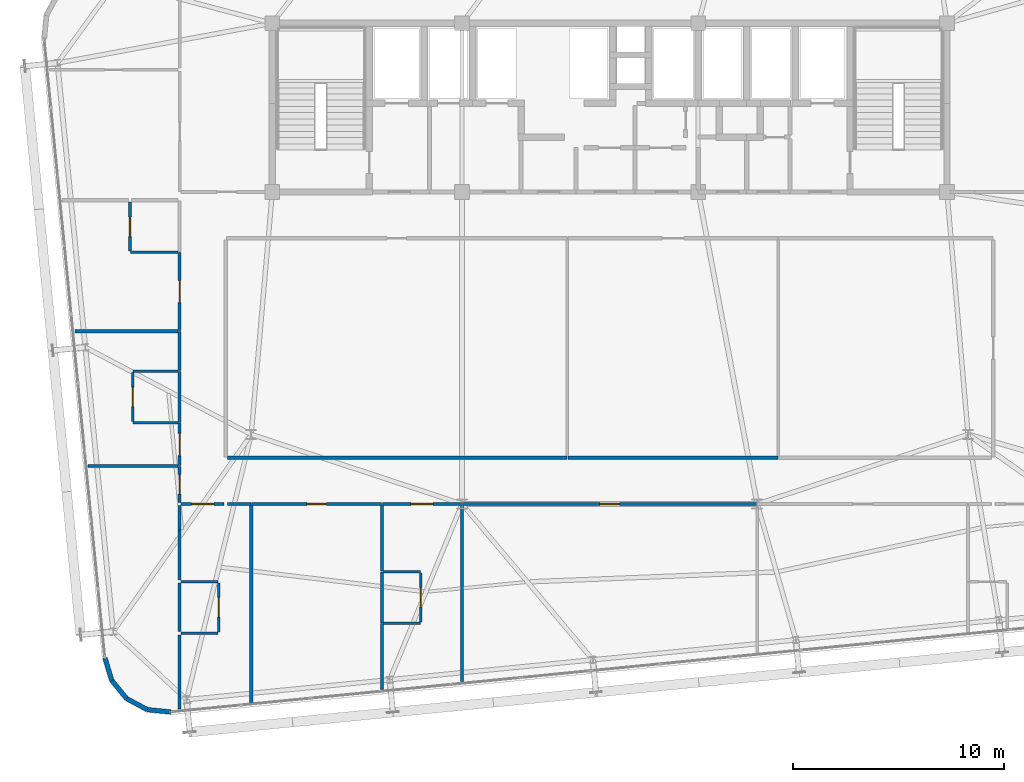
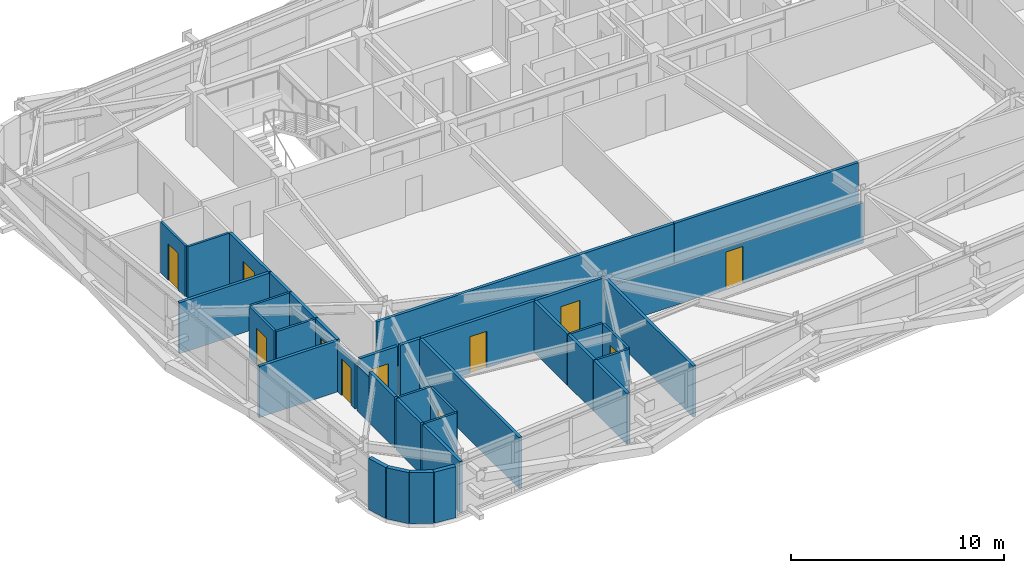
# One storey, part 46 of 53: 38 walls, 11 doors, 11 openings.
"""IFC4 building model written with IfcOpenShell, lengths in metres."""

from ifc_helpers import new_model, si_unit, direction, frame, frame_2d, origin, place, context, subcontext, project, spatial, rectangle, extrude, source, transform, mapped, material, layer, layer_set, type_object, element, fill, save


model = new_model("IFC4")

# Units and contexts
model_context = context("Model", 3, precision=1e-05, world=origin(), true_north=direction((0.0, 1.0)))
body_context = subcontext(model_context, "Body", "Model", "MODEL_VIEW")
ifc_project = project(units=[si_unit("LENGTHUNIT", "METRE"), si_unit("AREAUNIT", "SQUARE_METRE"), si_unit("VOLUMEUNIT", "CUBIC_METRE"), si_unit("PLANEANGLEUNIT", "RADIAN"), si_unit("MASSUNIT", "GRAM", prefix="KILO")], contexts=[model_context])

# Site, building, storey
site_placement = place(None, origin())
site = spatial("IfcSite", under=ifc_project, at=site_placement, CompositionType="ELEMENT")
building_placement = place(site_placement, origin())
building = spatial("IfcBuilding", under=site, at=building_placement, Name="Taldren Reach Tower", CompositionType="ELEMENT")
storey_placement = place(building_placement, frame((0.0, 0.0, 84.0)))
storey = spatial("IfcBuildingStorey", under=building, at=storey_placement, Name="L25", CompositionType="ELEMENT", Elevation=84.0)

# Walls
ifc_material_1 = material(Name="Pale Champagne Anodised Aluminium Cladding", Category="aluminium")
ifc_layer_1 = layer(ifc_material_1, 0.04, Name="Pale Champagne Anodised Aluminium Cladding", Category="aluminium")
ifc_material_2 = material(Name="Mineral Wool Acoustic Insulation", Category="insulation")
ifc_layer_2 = layer(ifc_material_2, 0.06, Name="Mineral Wool Acoustic Insulation", Category="insulation")
ifc_material_3 = material(Name="Steel Gr 350 (C350L0)", Category="steel")
ifc_layer_3 = layer(ifc_material_3, 0.12, Name="Steel Gr 350 (C350L0)", Category="steel")
ifc_layer_set_1 = layer_set([ifc_layer_1, ifc_layer_2, ifc_layer_3], Name="Pale Champagne Aluminium Cladding and Steel Gr 350 Stud Framing")
wall_type_1 = type_object("IfcWallType", Name="EW-CRN-220", PredefinedType="SOLIDWALL", material=ifc_layer_set_1)
shared_shape_1 = source(origin(), body_context, "Body", "SweptSolid", [
    extrude(rectangle(XDim=1.115966796875, YDim=0.219970703125, at=frame_2d((0.55810546875, 0.0))), origin(), (0.0, 0.0, 1.0), 2.929931640625),
])
for number, where, z_axis, x_axis, name in (
    (1, (11.062255859375, 1.90185546875, 0.0), (0.0, 0.0, 1.0), (0.289855603468, -0.957070388811, 0.0), "Rounded-corner pale-metal facade wall L25-SW1"),
    (2, (11.3857421875, 0.833740234375, 0.0), (0.0, 0.0, 1.0), (0.633988016432, -0.773342870285, 0.0), "Rounded-corner pale-metal facade wall L25-SW2"),
    (3, (13.0771484375, -0.5556640625, 0.0), (0.0, 0.0, 1.0), (0.995142755671, -0.09844234778, 0.0), "Rounded-corner pale-metal facade wall L25-SW4"),
):
    element("IfcWall", number, at=place(storey_placement, frame(where, z_axis=z_axis, x_axis=x_axis)), inside=storey, type_object=wall_type_1, Name=name, PredefinedType="SOLIDWALL", context=body_context, shape_type="MappedRepresentation", body=[
        mapped(shared_shape_1, transform((0.0, 0.0, 0.0), scale=1.0)),
    ])
shared_shape_2 = source(origin(), body_context, "Body", "SweptSolid", [
    extrude(rectangle(XDim=1.11572265625, YDim=0.219970703125, at=frame_2d((0.557861328125, 0.0))), origin(), (0.0, 0.0, 1.0), 2.929931640625),
])
wall_1_placement = place(storey_placement, frame((12.09326171875, -0.029296875, 0.0), z_axis=(0.0, 0.0, 1.0), x_axis=(0.881746547635, -0.471723463201, 0.0)))
element("IfcWall", 4, at=wall_1_placement, inside=storey, type_object=wall_type_1, Name="Rounded-corner pale-metal facade wall L25-SW3", PredefinedType="SOLIDWALL", context=body_context, shape_type="MappedRepresentation", body=[
    mapped(shared_shape_2, transform((0.0, 0.0, 0.0), scale=1.0)),
])

# Wall, opening, door
ifc_material_4 = material(Name="Fire-Rated Acoustic Plasterboard Stud Wall", Category="gypsum")
ifc_layer_4 = layer(ifc_material_4, 0.159912109375)
ifc_layer_set_2 = layer_set([ifc_layer_4], Name="Fire-Rated Acoustic Plasterboard Stud Wall")
wall_type_2 = type_object("IfcWallType", Name="IW-FIRE-160", PredefinedType="PARTITIONING", material=ifc_layer_set_2)
shared_shape_3 = source(origin(), body_context, "Body", "SweptSolid", [
    extrude(rectangle(XDim=2.0400390625, YDim=0.159912109375, at=frame_2d((1.02001953125, 0.0))), origin(), (0.0, 0.0, 1.0), 2.929931640625),
])
wall_2_placement = place(storey_placement, frame((16.719970703125, 9.199951171875, 0.0), z_axis=(0.0, 0.0, 1.0), x_axis=(-1.0, 0.0, 0.0)))
wall_2 = element("IfcWall", 5, at=wall_2_placement, inside=storey, type_object=wall_type_2, Name="Interior Partition Wall W-INT-L25-065", PredefinedType="PARTITIONING", context=body_context, shape_type="MappedRepresentation", body=[
    mapped(shared_shape_3, transform((0.0, 0.0, 0.0), scale=1.0)),
])
shared_shape_4 = source(origin(), body_context, "Body", "SweptSolid", [
    extrude(rectangle(XDim=1.050048828125, YDim=2.10009765625, at=frame_2d((0.52490234375, 1.050048828125))), frame((0.0, 0.08984375, 0.0), z_axis=(0.0, -1.0, 0.0), x_axis=(1.0, 0.0, 0.0)), (0.0, 0.0, 1.0), 0.179931640625),
])
opening_1_placement = place(wall_2_placement, frame((0.4951171875, 0.0, 0.0)))
opening_1 = element("IfcOpeningElement", 6, at=opening_1_placement, cuts=wall_2, Name="Opening DF-105", PredefinedType="OPENING", context=body_context, shape_type="MappedRepresentation", body=[
    mapped(shared_shape_4, transform((0.0, 0.0, 0.0), scale=1.0)),
])
ifc_material_5 = material(Name="Fire-Rated Care and Stair Exit Door")
door_type_1 = type_object("IfcDoorType", Name="ID-FIRE-105", OperationType="NOTDEFINED", PredefinedType="DOOR", material=ifc_material_5)
shared_shape_5 = source(origin(), body_context, "Body", "SweptSolid", [
    extrude(rectangle(XDim=1.050048828125, YDim=2.10009765625, at=frame_2d((0.52490234375, 1.050048828125))), frame((0.0, 0.02490234375, 0.0), z_axis=(0.0, -1.0, 0.0), x_axis=(1.0, 0.0, 0.0)), (0.0, 0.0, 1.0), 0.050048828125),
])
door_1_placement = place(opening_1_placement, origin())
door_1 = element("IfcDoor", 7, at=door_1_placement, inside=storey, type_object=door_type_1, Name="Interior Door DR-L25-017", OperationType="SINGLE_SWING_RIGHT", OverallHeight=2.10009765625, OverallWidth=1.050048828125, PredefinedType="DOOR", context=body_context, shape_type="MappedRepresentation", body=[
    mapped(shared_shape_5, transform((0.0, 0.0, 0.0), scale=1.0)),
])
fill(opening_1, door_1)

# Wall
shared_shape_6 = source(origin(), body_context, "Body", "SweptSolid", [
    extrude(rectangle(XDim=1.099853515625, YDim=0.159912109375, at=frame_2d((0.5498046875, 0.0))), origin(), (0.0, 0.0, 1.0), 2.929931640625),
])
wall_3_placement = place(storey_placement, frame((17.979736328125, 9.199951171875, 0.0), z_axis=(0.0, 0.0, 1.0), x_axis=(-1.0, 0.0, 0.0)))
element("IfcWall", 8, at=wall_3_placement, inside=storey, type_object=wall_type_2, Name="Interior Partition Wall W-INT-L25-080", PredefinedType="PARTITIONING", context=body_context, shape_type="MappedRepresentation", body=[
    mapped(shared_shape_6, transform((0.0, 0.0, 0.0), scale=1.0)),
])

# Wall, opening, door
ifc_material_6 = material(Name="Insulated Residential Stud Partition", Category="gypsum")
ifc_layer_5 = layer(ifc_material_6, 0.1201171875)
ifc_layer_set_3 = layer_set([ifc_layer_5], Name="Insulated Residential Stud Partition")
wall_type_3 = type_object("IfcWallType", Name="IW-PART-120", PredefinedType="PARTITIONING", material=ifc_layer_set_3)
shared_shape_7 = source(origin(), body_context, "Body", "SweptSolid", [
    extrude(rectangle(XDim=2.330078125, YDim=0.1201171875, at=frame_2d((1.1650390625, 0.0))), origin(), (0.0, 0.0, 1.0), 2.929931640625),
])
wall_4_placement = place(storey_placement, frame((16.449951171875, 3.131591796875, 0.0), z_axis=(0.0, 0.0, 1.0), x_axis=(0.0, 1.0, 0.0)))
wall_4 = element("IfcWall", 9, at=wall_4_placement, inside=storey, type_object=wall_type_3, Name="Interior Partition Wall W-INT-L25-088", PredefinedType="PARTITIONING", context=body_context, shape_type="MappedRepresentation", body=[
    mapped(shared_shape_7, transform((0.0, 0.0, 0.0), scale=1.0)),
])
shared_shape_8 = source(origin(), body_context, "Body", "SweptSolid", [
    extrude(rectangle(XDim=0.919921875, YDim=2.10009765625, at=frame_2d((0.4599609375, 1.050048828125))), frame((0.0, 0.070068359375, 0.0), z_axis=(0.0, -1.0, 0.0), x_axis=(1.0, 0.0, 0.0)), (0.0, 0.0, 1.0), 0.14013671875),
])
opening_2_placement = place(wall_4_placement, frame((0.705078125, 0.0, 0.0)))
opening_2 = element("IfcOpeningElement", 10, at=opening_2_placement, cuts=wall_4, Name="Opening DI-092", PredefinedType="OPENING", context=body_context, shape_type="MappedRepresentation", body=[
    mapped(shared_shape_8, transform((0.0, 0.0, 0.0), scale=1.0)),
])
ifc_material_7 = material(Name="Solid-Core Timber Suite Door", Category="wood")
door_type_2 = type_object("IfcDoorType", Name="ID-INT-092", OperationType="NOTDEFINED", PredefinedType="DOOR", material=ifc_material_7)
shared_shape_9 = source(origin(), body_context, "Body", "SweptSolid", [
    extrude(rectangle(XDim=0.919921875, YDim=2.10009765625, at=frame_2d((0.4599609375, 1.050048828125))), frame((0.0, 0.02490234375, 0.0), z_axis=(0.0, -1.0, 0.0), x_axis=(1.0, 0.0, 0.0)), (0.0, 0.0, 1.0), 0.050048828125),
])
door_2_placement = place(opening_2_placement, origin())
door_2 = element("IfcDoor", 11, at=door_2_placement, inside=storey, type_object=door_type_2, Name="Interior Door DR-L25-029", OperationType="SINGLE_SWING_RIGHT", OverallHeight=2.10009765625, OverallWidth=0.919921875, PredefinedType="DOOR", context=body_context, shape_type="MappedRepresentation", body=[
    mapped(shared_shape_9, transform((0.0, 0.0, 0.0), scale=1.0)),
])
fill(opening_2, door_2)

# Walls
shared_shape_10 = source(origin(), body_context, "Body", "SweptSolid", [
    extrude(rectangle(XDim=1.749755859375, YDim=0.1201171875, at=frame_2d((0.875, 0.0))), origin(), (0.0, 0.0, 1.0), 2.929931640625),
])
for number, where, z_axis, x_axis, name in (
    (12, (14.679931640625, 3.071533203125, 0.0), (0.0, 0.0, 1.0), (1.0, 0.0, 0.0), "Interior Partition Wall W-INT-L25-089"),
    (13, (16.4296875, 5.521484375, 0.0), (0.0, 0.0, 1.0), (-1.0, 0.0, 0.0), "Interior Partition Wall W-INT-L25-090"),
    (14, (24.280029296875, 3.542236328125, 0.0), (0.0, 0.0, 1.0), (1.0, 0.0, 0.0), "Interior Partition Wall W-INT-L25-099"),
    (15, (26.02978515625, 5.9921875, 0.0), (0.0, 0.0, 1.0), (-1.0, 0.0, 0.0), "Interior Partition Wall W-INT-L25-100"),
):
    element("IfcWall", number, at=place(storey_placement, frame(where, z_axis=z_axis, x_axis=x_axis)), inside=storey, type_object=wall_type_3, Name=name, PredefinedType="PARTITIONING", context=body_context, shape_type="MappedRepresentation", body=[
        mapped(shared_shape_10, transform((0.0, 0.0, 0.0), scale=1.0)),
    ])
shared_shape_11 = source(origin(), body_context, "Body", "SweptSolid", [
    extrude(rectangle(XDim=2.40966796875, YDim=0.159912109375, at=frame_2d((1.204833984375, 0.0))), origin(), (0.0, 0.0, 1.0), 2.929931640625),
])
wall_5_placement = place(storey_placement, frame((24.199951171875, 5.97216796875, 0.0), z_axis=(0.0, 0.0, 1.0), x_axis=(0.0, -1.0, 0.0)))
element("IfcWall", 16, at=wall_5_placement, inside=storey, type_object=wall_type_2, Name="Interior Partition Wall W-INT-L25-097", PredefinedType="PARTITIONING", context=body_context, shape_type="MappedRepresentation", body=[
    mapped(shared_shape_11, transform((0.0, 0.0, 0.0), scale=1.0)),
])
shared_shape_12 = source(origin(), body_context, "Body", "SweptSolid", [
    extrude(rectangle(XDim=2.2900390625, YDim=0.159912109375, at=frame_2d((1.14501953125, 0.0))), origin(), (0.0, 0.0, 1.0), 2.929931640625),
])
wall_6_placement = place(storey_placement, frame((14.60009765625, 3.151611328125, 0.0), z_axis=(0.0, 0.0, 1.0), x_axis=(0.0, 1.0, 0.0)))
element("IfcWall", 17, at=wall_6_placement, inside=storey, type_object=wall_type_2, Name="Interior Partition Wall W-INT-L25-094", PredefinedType="PARTITIONING", context=body_context, shape_type="MappedRepresentation", body=[
    mapped(shared_shape_12, transform((0.0, 0.0, 0.0), scale=1.0)),
])
shared_shape_13 = source(origin(), body_context, "Body", "SweptSolid", [
    extrude(rectangle(XDim=9.95947265625, YDim=0.159912109375, at=frame_2d((4.979736328125, 0.0))), origin(), (0.0, 0.0, 1.0), 2.929931640625),
])
wall_7_placement = place(storey_placement, frame((33.020263671875, 11.39990234375, 0.0), z_axis=(0.0, 0.0, 1.0), x_axis=(1.0, 0.0, 0.0)))
element("IfcWall", 18, at=wall_7_placement, inside=storey, type_object=wall_type_2, Name="Interior Partition Wall W-INT-L25-078", PredefinedType="PARTITIONING", context=body_context, shape_type="MappedRepresentation", body=[
    mapped(shared_shape_13, transform((0.0, 0.0, 0.0), scale=1.0)),
])

# Wall, opening, door
shared_shape_14 = source(origin(), body_context, "Body", "SweptSolid", [
    extrude(rectangle(XDim=13.95947265625, YDim=0.159912109375, at=frame_2d((6.979736328125, 0.0))), origin(), (0.0, 0.0, 1.0), 2.327880859375),
])
wall_8_placement = place(storey_placement, frame((41.979736328125, 9.199951171875, 0.0), z_axis=(0.0, 0.0, 1.0), x_axis=(-1.0, 0.0, 0.0)))
wall_8 = element("IfcWall", 19, at=wall_8_placement, inside=storey, type_object=wall_type_2, Name="Interior Partition Wall W-INT-L25-083", PredefinedType="PARTITIONING", context=body_context, shape_type="MappedRepresentation", body=[
    mapped(shared_shape_14, transform((0.0, 0.0, 0.0), scale=1.0)),
])
shared_shape_15 = source(origin(), body_context, "Body", "SweptSolid", [
    extrude(rectangle(XDim=0.919921875, YDim=2.10009765625, at=frame_2d((0.4599609375, 1.050048828125))), frame((0.0, 0.08984375, 0.0), z_axis=(0.0, -1.0, 0.0), x_axis=(1.0, 0.0, 0.0)), (0.0, 0.0, 1.0), 0.179931640625),
])
opening_3_placement = place(wall_8_placement, frame((6.519775390625, 0.0, 0.0)))
opening_3 = element("IfcOpeningElement", 20, at=opening_3_placement, cuts=wall_8, Name="Opening DI-092", PredefinedType="OPENING", context=body_context, shape_type="MappedRepresentation", body=[
    mapped(shared_shape_15, transform((0.0, 0.0, 0.0), scale=1.0)),
])
door_3_placement = place(opening_3_placement, origin())
door_3 = element("IfcDoor", 21, at=door_3_placement, inside=storey, type_object=door_type_2, Name="Interior Door DR-L25-027", OperationType="SINGLE_SWING_RIGHT", OverallHeight=2.10009765625, OverallWidth=0.919921875, PredefinedType="DOOR", context=body_context, shape_type="MappedRepresentation", body=[
    mapped(shared_shape_9, transform((0.0, 0.0, 0.0), scale=1.0)),
])
fill(opening_3, door_3)

# Wall
shared_shape_16 = source(origin(), body_context, "Body", "SweptSolid", [
    extrude(rectangle(XDim=16.099853515625, YDim=0.159912109375, at=frame_2d((8.0498046875, 0.0))), origin(), (0.0, 0.0, 1.0), 2.929931640625),
])
wall_9_placement = place(storey_placement, frame((16.8798828125, 11.39990234375, 0.0), z_axis=(0.0, 0.0, 1.0), x_axis=(1.0, 0.0, 0.0)))
element("IfcWall", 22, at=wall_9_placement, inside=storey, type_object=wall_type_2, Name="Interior Partition Wall W-INT-L25-077", PredefinedType="PARTITIONING", context=body_context, shape_type="MappedRepresentation", body=[
    mapped(shared_shape_16, transform((0.0, 0.0, 0.0), scale=1.0)),
])

# Wall, opening, door
shared_shape_17 = source(origin(), body_context, "Body", "SweptSolid", [
    extrude(rectangle(XDim=6.159423828125, YDim=0.159912109375, at=frame_2d((3.07958984375, 0.0))), origin(), (0.0, 0.0, 1.0), 2.929931640625),
])
wall_10_placement = place(storey_placement, frame((24.1796875, 9.199951171875, 0.0), z_axis=(0.0, 0.0, 1.0), x_axis=(-1.0, 0.0, 0.0)))
wall_10 = element("IfcWall", 23, at=wall_10_placement, inside=storey, type_object=wall_type_2, Name="Interior Partition Wall W-INT-L25-081", PredefinedType="PARTITIONING", context=body_context, shape_type="MappedRepresentation", body=[
    mapped(shared_shape_17, transform((0.0, 0.0, 0.0), scale=1.0)),
])
opening_4_placement = place(wall_10_placement, frame((2.619873046875, 0.0, 0.0)))
opening_4 = element("IfcOpeningElement", 24, at=opening_4_placement, cuts=wall_10, Name="Opening DI-092", PredefinedType="OPENING", context=body_context, shape_type="MappedRepresentation", body=[
    mapped(shared_shape_15, transform((0.0, 0.0, 0.0), scale=1.0)),
])
door_4_placement = place(opening_4_placement, origin())
door_4 = element("IfcDoor", 25, at=door_4_placement, inside=storey, type_object=door_type_2, Name="Interior Door DR-L25-025", OperationType="SINGLE_SWING_RIGHT", OverallHeight=2.10009765625, OverallWidth=0.919921875, PredefinedType="DOOR", context=body_context, shape_type="MappedRepresentation", body=[
    mapped(shared_shape_9, transform((0.0, 0.0, 0.0), scale=1.0)),
])
fill(opening_4, door_4)

shared_shape_18 = source(origin(), body_context, "Body", "SweptSolid", [
    extrude(rectangle(XDim=3.759521484375, YDim=0.159912109375, at=frame_2d((1.8798828125, 0.0))), origin(), (0.0, 0.0, 1.0), 2.929931640625),
])
wall_11_placement = place(storey_placement, frame((27.979736328125, 9.199951171875, 0.0), z_axis=(0.0, 0.0, 1.0), x_axis=(-1.0, 0.0, 0.0)))
wall_11 = element("IfcWall", 26, at=wall_11_placement, inside=storey, type_object=wall_type_2, Name="Interior Partition Wall W-INT-L25-082", PredefinedType="PARTITIONING", context=body_context, shape_type="MappedRepresentation", body=[
    mapped(shared_shape_18, transform((0.0, 0.0, 0.0), scale=1.0)),
])
opening_5_placement = place(wall_11_placement, frame((1.354736328125, 0.0, 0.0)))
opening_5 = element("IfcOpeningElement", 27, at=opening_5_placement, cuts=wall_11, Name="Opening DF-105", PredefinedType="OPENING", context=body_context, shape_type="MappedRepresentation", body=[
    mapped(shared_shape_4, transform((0.0, 0.0, 0.0), scale=1.0)),
])
door_5_placement = place(opening_5_placement, origin())
door_5 = element("IfcDoor", 28, at=door_5_placement, inside=storey, type_object=door_type_1, Name="Interior Door DR-L25-026", OperationType="SINGLE_SWING_LEFT", OverallHeight=2.10009765625, OverallWidth=1.050048828125, PredefinedType="DOOR", context=body_context, shape_type="MappedRepresentation", body=[
    mapped(shared_shape_5, transform((0.0, 0.0, 0.0), scale=1.0)),
])
fill(opening_5, door_5)

# Walls
shared_shape_19 = source(origin(), body_context, "Body", "SweptSolid", [
    extrude(rectangle(XDim=2.409423828125, YDim=0.159912109375, at=frame_2d((1.20458984375, 0.0))), origin(), (0.0, 0.0, 1.0), 2.929931640625),
])
wall_12_placement = place(storey_placement, frame((14.60009765625, 13.0703125, 0.0), z_axis=(0.0, 0.0, 1.0), x_axis=(0.0, 1.0, 0.0)))
element("IfcWall", 29, at=wall_12_placement, inside=storey, type_object=wall_type_2, Name="Interior Partition Wall W-INT-L25-070", PredefinedType="PARTITIONING", context=body_context, shape_type="MappedRepresentation", body=[
    mapped(shared_shape_19, transform((0.0, 0.0, 0.0), scale=1.0)),
])
shared_shape_20 = source(origin(), body_context, "Body", "SweptSolid", [
    extrude(rectangle(XDim=2.249755859375, YDim=0.1201171875, at=frame_2d((1.125, 0.0))), origin(), (0.0, 0.0, 1.0), 2.929931640625),
])
wall_13_placement = place(storey_placement, frame((12.270263671875, 21.14990234375, 0.0), z_axis=(0.0, 0.0, 1.0), x_axis=(1.0, 0.0, 0.0)))
element("IfcWall", 30, at=wall_13_placement, inside=storey, type_object=wall_type_3, Name="Interior Partition Wall W-INT-L25-114", PredefinedType="PARTITIONING", context=body_context, shape_type="MappedRepresentation", body=[
    mapped(shared_shape_20, transform((0.0, 0.0, 0.0), scale=1.0)),
])
shared_shape_21 = source(origin(), body_context, "Body", "SweptSolid", [
    extrude(rectangle(XDim=9.3251953125, YDim=0.159912109375, at=frame_2d((4.66259765625, 0.0))), origin(), (0.0, 0.0, 1.0), 2.929931640625),
])
wall_14_placement = place(storey_placement, frame((18.0, 9.117919921875, 0.0), z_axis=(0.0, 0.0, 1.0), x_axis=(0.0, -1.0, 0.0)))
element("IfcWall", 31, at=wall_14_placement, inside=storey, type_object=wall_type_2, Name="Interior Partition Wall W-INT-L25-091", PredefinedType="PARTITIONING", context=body_context, shape_type="MappedRepresentation", body=[
    mapped(shared_shape_21, transform((0.0, 0.0, 0.0), scale=1.0)),
])
shared_shape_22 = source(origin(), body_context, "Body", "SweptSolid", [
    extrude(rectangle(XDim=3.5166015625, YDim=0.159912109375, at=frame_2d((1.75830078125, 0.0))), origin(), (0.0, 0.0, 1.0), 2.929931640625),
])
wall_15_placement = place(storey_placement, frame((14.60009765625, -0.52490234375, 0.0), z_axis=(0.0, 0.0, 1.0), x_axis=(0.0, 1.0, 0.0)))
element("IfcWall", 32, at=wall_15_placement, inside=storey, type_object=wall_type_2, Name="Interior Partition Wall W-INT-L25-092", PredefinedType="PARTITIONING", context=body_context, shape_type="MappedRepresentation", body=[
    mapped(shared_shape_22, transform((0.0, 0.0, 0.0), scale=1.0)),
])
shared_shape_23 = source(origin(), body_context, "Body", "SweptSolid", [
    extrude(rectangle(XDim=2.373046875, YDim=0.159912109375, at=frame_2d((1.1865234375, 0.0))), origin(), (0.0, 0.0, 1.0), 2.929931640625),
])
wall_16_placement = place(storey_placement, frame((14.60009765625, 5.6015625, 0.0), z_axis=(0.0, 0.0, 1.0), x_axis=(0.0, 1.0, 0.0)))
element("IfcWall", 33, at=wall_16_placement, inside=storey, type_object=wall_type_2, Name="Interior Partition Wall W-INT-L25-093", PredefinedType="PARTITIONING", context=body_context, shape_type="MappedRepresentation", body=[
    mapped(shared_shape_23, transform((0.0, 0.0, 0.0), scale=1.0)),
])
shared_shape_24 = source(origin(), body_context, "Body", "SweptSolid", [
    extrude(rectangle(XDim=1.143310546875, YDim=0.159912109375, at=frame_2d((0.57177734375, 0.0))), origin(), (0.0, 0.0, 1.0), 2.623046875),
])
wall_17_placement = place(storey_placement, frame((14.60009765625, 7.974609375, 0.0), z_axis=(0.0, 0.0, 1.0), x_axis=(0.0, 1.0, 0.0)))
element("IfcWall", 34, at=wall_17_placement, inside=storey, type_object=wall_type_2, Name="Interior Partition Wall W-INT-L25-093 part 2", PredefinedType="PARTITIONING", context=body_context, shape_type="MappedRepresentation", body=[
    mapped(shared_shape_24, transform((0.0, 0.0, 0.0), scale=1.0)),
])

# Wall, opening, door
shared_shape_25 = source(origin(), body_context, "Body", "SweptSolid", [
    extrude(rectangle(XDim=2.329833984375, YDim=0.1201171875, at=frame_2d((1.1650390625, 0.0))), origin(), (0.0, 0.0, 1.0), 2.929931640625),
])
wall_18_placement = place(storey_placement, frame((26.050048828125, 3.602294921875, 0.0), z_axis=(0.0, 0.0, 1.0), x_axis=(0.0, 1.0, 0.0)))
wall_18 = element("IfcWall", 35, at=wall_18_placement, inside=storey, type_object=wall_type_3, Name="Interior Partition Wall W-INT-L25-098", PredefinedType="PARTITIONING", context=body_context, shape_type="MappedRepresentation", body=[
    mapped(shared_shape_25, transform((0.0, 0.0, 0.0), scale=1.0)),
])
opening_6_placement = place(wall_18_placement, frame((0.705078125, 0.0, 0.0)))
opening_6 = element("IfcOpeningElement", 36, at=opening_6_placement, cuts=wall_18, Name="Opening DI-092", PredefinedType="OPENING", context=body_context, shape_type="MappedRepresentation", body=[
    mapped(shared_shape_8, transform((0.0, 0.0, 0.0), scale=1.0)),
])
door_6_placement = place(opening_6_placement, origin())
door_6 = element("IfcDoor", 37, at=door_6_placement, inside=storey, type_object=door_type_2, Name="Interior Door DR-L25-030", OperationType="SINGLE_SWING_LEFT", OverallHeight=2.10009765625, OverallWidth=0.919921875, PredefinedType="DOOR", context=body_context, shape_type="MappedRepresentation", body=[
    mapped(shared_shape_9, transform((0.0, 0.0, 0.0), scale=1.0)),
])
fill(opening_6, door_6)

wall_19_placement = place(storey_placement, frame((12.3828125, 15.43994140625, 0.0), z_axis=(0.0, 0.0, 1.0), x_axis=(0.0, -1.0, 0.0)))
wall_19 = element("IfcWall", 38, at=wall_19_placement, inside=storey, type_object=wall_type_3, Name="Interior Partition Wall W-INT-L25-109", PredefinedType="PARTITIONING", context=body_context, shape_type="MappedRepresentation", body=[
    mapped(shared_shape_25, transform((0.0, 0.0, 0.0), scale=1.0)),
])
opening_7_placement = place(wall_19_placement, frame((0.705078125, 0.0, 0.0)))
opening_7 = element("IfcOpeningElement", 39, at=opening_7_placement, cuts=wall_19, Name="Opening DI-092", PredefinedType="OPENING", context=body_context, shape_type="MappedRepresentation", body=[
    mapped(shared_shape_8, transform((0.0, 0.0, 0.0), scale=1.0)),
])
door_7_placement = place(opening_7_placement, origin())
door_7 = element("IfcDoor", 40, at=door_7_placement, inside=storey, type_object=door_type_2, Name="Interior Door DR-L25-032", OperationType="SINGLE_SWING_LEFT", OverallHeight=2.10009765625, OverallWidth=0.919921875, PredefinedType="DOOR", context=body_context, shape_type="MappedRepresentation", body=[
    mapped(shared_shape_9, transform((0.0, 0.0, 0.0), scale=1.0)),
])
fill(opening_7, door_7)

shared_shape_26 = source(origin(), body_context, "Body", "SweptSolid", [
    extrude(rectangle(XDim=2.009521484375, YDim=0.159912109375, at=frame_2d((1.0048828125, 0.0))), origin(), (0.0, 0.0, 1.0), 2.929931640625),
])
wall_20_placement = place(storey_placement, frame((14.60009765625, 11.020263671875, 0.0), z_axis=(0.0, 0.0, 1.0), x_axis=(0.0, 1.0, 0.0)))
wall_20 = element("IfcWall", 41, at=wall_20_placement, inside=storey, type_object=wall_type_2, Name="Interior Partition Wall W-INT-L25-068", PredefinedType="PARTITIONING", context=body_context, shape_type="MappedRepresentation", body=[
    mapped(shared_shape_26, transform((0.0, 0.0, 0.0), scale=1.0)),
])
opening_8_placement = place(wall_20_placement, frame((0.479736328125, 0.0, 0.0)))
opening_8 = element("IfcOpeningElement", 42, at=opening_8_placement, cuts=wall_20, Name="Opening DF-105", PredefinedType="OPENING", context=body_context, shape_type="MappedRepresentation", body=[
    mapped(shared_shape_4, transform((0.0, 0.0, 0.0), scale=1.0)),
])
door_8_placement = place(opening_8_placement, origin())
door_8 = element("IfcDoor", 43, at=door_8_placement, inside=storey, type_object=door_type_1, Name="Interior Door DR-L25-020", OperationType="SINGLE_SWING_LEFT", OverallHeight=2.10009765625, OverallWidth=1.050048828125, PredefinedType="DOOR", context=body_context, shape_type="MappedRepresentation", body=[
    mapped(shared_shape_5, transform((0.0, 0.0, 0.0), scale=1.0)),
])
fill(opening_8, door_8)

# Wall
shared_shape_27 = source(origin(), body_context, "Body", "SweptSolid", [
    extrude(rectangle(XDim=1.859375, YDim=0.159912109375, at=frame_2d((0.9296875, 0.0))), origin(), (0.0, 0.0, 1.0), 2.929931640625),
])
wall_21_placement = place(storey_placement, frame((14.60009765625, 15.520263671875, 0.0), z_axis=(0.0, 0.0, 1.0), x_axis=(0.0, 1.0, 0.0)))
element("IfcWall", 44, at=wall_21_placement, inside=storey, type_object=wall_type_2, Name="Interior Partition Wall W-INT-L25-069", PredefinedType="PARTITIONING", context=body_context, shape_type="MappedRepresentation", body=[
    mapped(shared_shape_27, transform((0.0, 0.0, 0.0), scale=1.0)),
])

# Wall, opening, door
shared_shape_28 = source(origin(), body_context, "Body", "SweptSolid", [
    extrude(rectangle(XDim=3.70947265625, YDim=0.159912109375, at=frame_2d((1.854736328125, 0.0))), origin(), (0.0, 0.0, 1.0), 2.929931640625),
])
wall_22_placement = place(storey_placement, frame((14.60009765625, 17.42041015625, 0.0), z_axis=(0.0, 0.0, 1.0), x_axis=(0.0, 1.0, 0.0)))
wall_22 = element("IfcWall", 45, at=wall_22_placement, inside=storey, type_object=wall_type_2, Name="Interior Partition Wall W-INT-L25-071", PredefinedType="PARTITIONING", context=body_context, shape_type="MappedRepresentation", body=[
    mapped(shared_shape_28, transform((0.0, 0.0, 0.0), scale=1.0)),
])
opening_9_placement = place(wall_22_placement, frame((1.32958984375, 0.0, 0.0)))
opening_9 = element("IfcOpeningElement", 46, at=opening_9_placement, cuts=wall_22, Name="Opening DF-105", PredefinedType="OPENING", context=body_context, shape_type="MappedRepresentation", body=[
    mapped(shared_shape_4, transform((0.0, 0.0, 0.0), scale=1.0)),
])
door_9_placement = place(opening_9_placement, origin())
door_9 = element("IfcDoor", 47, at=door_9_placement, inside=storey, type_object=door_type_1, Name="Interior Door DR-L25-021", OperationType="SINGLE_SWING_RIGHT", OverallHeight=2.10009765625, OverallWidth=1.050048828125, PredefinedType="DOOR", context=body_context, shape_type="MappedRepresentation", body=[
    mapped(shared_shape_5, transform((0.0, 0.0, 0.0), scale=1.0)),
])
fill(opening_9, door_9)

# Walls
shared_shape_29 = source(origin(), body_context, "Body", "SweptSolid", [
    extrude(rectangle(XDim=3.12353515625, YDim=0.159912109375, at=frame_2d((1.561767578125, 0.0))), origin(), (0.0, 0.0, 1.0), 2.929931640625),
])
wall_23_placement = place(storey_placement, frame((24.199951171875, 3.522216796875, 0.0), z_axis=(0.0, 0.0, 1.0), x_axis=(0.0, -1.0, 0.0)))
element("IfcWall", 48, at=wall_23_placement, inside=storey, type_object=wall_type_2, Name="Interior Partition Wall W-INT-L25-095", PredefinedType="PARTITIONING", context=body_context, shape_type="MappedRepresentation", body=[
    mapped(shared_shape_29, transform((0.0, 0.0, 0.0), scale=1.0)),
])
shared_shape_30 = source(origin(), body_context, "Body", "SweptSolid", [
    extrude(rectangle(XDim=3.107666015625, YDim=0.159912109375, at=frame_2d((1.5537109375, 0.0))), origin(), (0.0, 0.0, 1.0), 2.929931640625),
])
wall_24_placement = place(storey_placement, frame((24.199951171875, 9.1201171875, 0.0), z_axis=(0.0, 0.0, 1.0), x_axis=(0.0, -1.0, 0.0)))
element("IfcWall", 49, at=wall_24_placement, inside=storey, type_object=wall_type_2, Name="Interior Partition Wall W-INT-L25-096", PredefinedType="PARTITIONING", context=body_context, shape_type="MappedRepresentation", body=[
    mapped(shared_shape_30, transform((0.0, 0.0, 0.0), scale=1.0)),
])
shared_shape_31 = source(origin(), body_context, "Body", "SweptSolid", [
    extrude(rectangle(XDim=8.3447265625, YDim=0.159912109375, at=frame_2d((4.17236328125, 0.0))), origin(), (0.0, 0.0, 1.0), 2.929931640625),
])
wall_25_placement = place(storey_placement, frame((28.0, 9.117919921875, 0.0), z_axis=(0.0, 0.0, 1.0), x_axis=(0.0, -1.0, 0.0)))
element("IfcWall", 50, at=wall_25_placement, inside=storey, type_object=wall_type_2, Name="Interior Partition Wall W-INT-L25-101", PredefinedType="PARTITIONING", context=body_context, shape_type="MappedRepresentation", body=[
    mapped(shared_shape_31, transform((0.0, 0.0, 0.0), scale=1.0)),
])
shared_shape_32 = source(origin(), body_context, "Body", "SweptSolid", [
    extrude(rectangle(XDim=4.25146484375, YDim=0.159912109375, at=frame_2d((2.125732421875, 0.0))), origin(), (0.0, 0.0, 1.0), 2.929931640625),
])
wall_26_placement = place(storey_placement, frame((10.2685546875, 11.0, 0.0), z_axis=(0.0, 0.0, 1.0), x_axis=(1.0, 0.0, 0.0)))
element("IfcWall", 51, at=wall_26_placement, inside=storey, type_object=wall_type_2, Name="Interior Partition Wall W-INT-L25-108", PredefinedType="PARTITIONING", context=body_context, shape_type="MappedRepresentation", body=[
    mapped(shared_shape_32, transform((0.0, 0.0, 0.0), scale=1.0)),
])
shared_shape_33 = source(origin(), body_context, "Body", "SweptSolid", [
    extrude(rectangle(XDim=2.116943359375, YDim=0.1201171875, at=frame_2d((1.05859375, 0.0))), origin(), (0.0, 0.0, 1.0), 2.929931640625),
])
for number, where, z_axis, x_axis, name in (
    (52, (12.403076171875, 13.050048828125, 0.0), (0.0, 0.0, 1.0), (1.0, 0.0, 0.0), "Interior Partition Wall W-INT-L25-110"),
    (53, (14.52001953125, 15.5, 0.0), (0.0, 0.0, 1.0), (-1.0, 0.0, 0.0), "Interior Partition Wall W-INT-L25-111"),
):
    element("IfcWall", number, at=place(storey_placement, frame(where, z_axis=z_axis, x_axis=x_axis)), inside=storey, type_object=wall_type_3, Name=name, PredefinedType="PARTITIONING", context=body_context, shape_type="MappedRepresentation", body=[
        mapped(shared_shape_33, transform((0.0, 0.0, 0.0), scale=1.0)),
    ])
shared_shape_34 = source(origin(), body_context, "Body", "SweptSolid", [
    extrude(rectangle(XDim=4.875244140625, YDim=0.159912109375, at=frame_2d((2.4375, 0.0))), origin(), (0.0, 0.0, 1.0), 2.929931640625),
])
wall_27_placement = place(storey_placement, frame((9.642822265625, 17.39990234375, 0.0), z_axis=(0.0, 0.0, 1.0), x_axis=(1.0, 0.0, 0.0)))
element("IfcWall", 54, at=wall_27_placement, inside=storey, type_object=wall_type_2, Name="Interior Partition Wall W-INT-L25-112", PredefinedType="PARTITIONING", context=body_context, shape_type="MappedRepresentation", body=[
    mapped(shared_shape_34, transform((0.0, 0.0, 0.0), scale=1.0)),
])

# Wall, opening, door
shared_shape_35 = source(origin(), body_context, "Body", "SweptSolid", [
    extrude(rectangle(XDim=2.31005859375, YDim=0.1201171875, at=frame_2d((1.155029296875, 0.0))), origin(), (0.0, 0.0, 1.0), 2.929931640625),
])
wall_28_placement = place(storey_placement, frame((12.25, 23.52001953125, 0.0), z_axis=(0.0, 0.0, 1.0), x_axis=(0.0, -1.0, 0.0)))
wall_28 = element("IfcWall", 55, at=wall_28_placement, inside=storey, type_object=wall_type_3, Name="Interior Partition Wall W-INT-L25-113", PredefinedType="PARTITIONING", context=body_context, shape_type="MappedRepresentation", body=[
    mapped(shared_shape_35, transform((0.0, 0.0, 0.0), scale=1.0)),
])
opening_10_placement = place(wall_28_placement, frame((0.71484375, 0.0, 0.0)))
opening_10 = element("IfcOpeningElement", 56, at=opening_10_placement, cuts=wall_28, Name="Opening DI-092", PredefinedType="OPENING", context=body_context, shape_type="MappedRepresentation", body=[
    mapped(shared_shape_8, transform((0.0, 0.0, 0.0), scale=1.0)),
])
door_10_placement = place(opening_10_placement, origin())
door_10 = element("IfcDoor", 57, at=door_10_placement, inside=storey, type_object=door_type_2, Name="Interior Door DR-L25-033", OperationType="SINGLE_SWING_RIGHT", OverallHeight=2.10009765625, OverallWidth=0.919921875, PredefinedType="DOOR", context=body_context, shape_type="MappedRepresentation", body=[
    mapped(shared_shape_9, transform((0.0, 0.0, 0.0), scale=1.0)),
])
fill(opening_10, door_10)

shared_shape_36 = source(origin(), body_context, "Body", "SweptSolid", [
    extrude(rectangle(XDim=1.69970703125, YDim=0.159912109375, at=frame_2d((0.849853515625, 0.0))), origin(), (0.0, 0.0, 1.0), 2.623046875),
])
wall_29_placement = place(storey_placement, frame((14.60009765625, 9.280029296875, 0.0), z_axis=(0.0, 0.0, 1.0), x_axis=(0.0, 1.0, 0.0)))
wall_29 = element("IfcWall", 58, at=wall_29_placement, inside=storey, type_object=wall_type_2, Name="Interior Partition Wall W-INT-L25-067", PredefinedType="PARTITIONING", context=body_context, shape_type="MappedRepresentation", body=[
    mapped(shared_shape_36, transform((0.0, 0.0, 0.0), scale=1.0)),
])
opening_11_placement = place(wall_29_placement, frame((0.389892578125, 0.0, 0.0)))
opening_11 = element("IfcOpeningElement", 59, at=opening_11_placement, cuts=wall_29, Name="Opening DI-092", PredefinedType="OPENING", context=body_context, shape_type="MappedRepresentation", body=[
    mapped(shared_shape_15, transform((0.0, 0.0, 0.0), scale=1.0)),
])
door_11_placement = place(opening_11_placement, origin())
door_11 = element("IfcDoor", 60, at=door_11_placement, inside=storey, type_object=door_type_2, Name="Interior Door DR-L25-019", OperationType="SINGLE_SWING_RIGHT", OverallHeight=2.10009765625, OverallWidth=0.919921875, PredefinedType="DOOR", context=body_context, shape_type="MappedRepresentation", body=[
    mapped(shared_shape_9, transform((0.0, 0.0, 0.0), scale=1.0)),
])
fill(opening_11, door_11)

save(model, "model.ifc")
